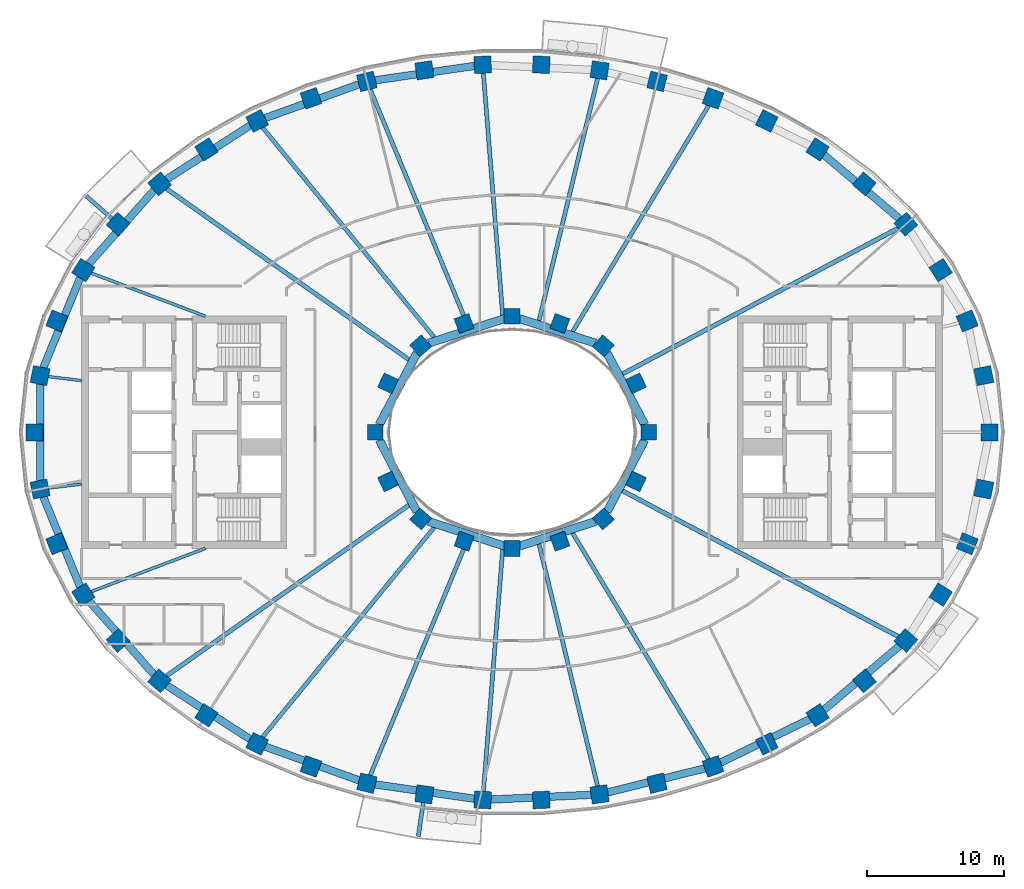
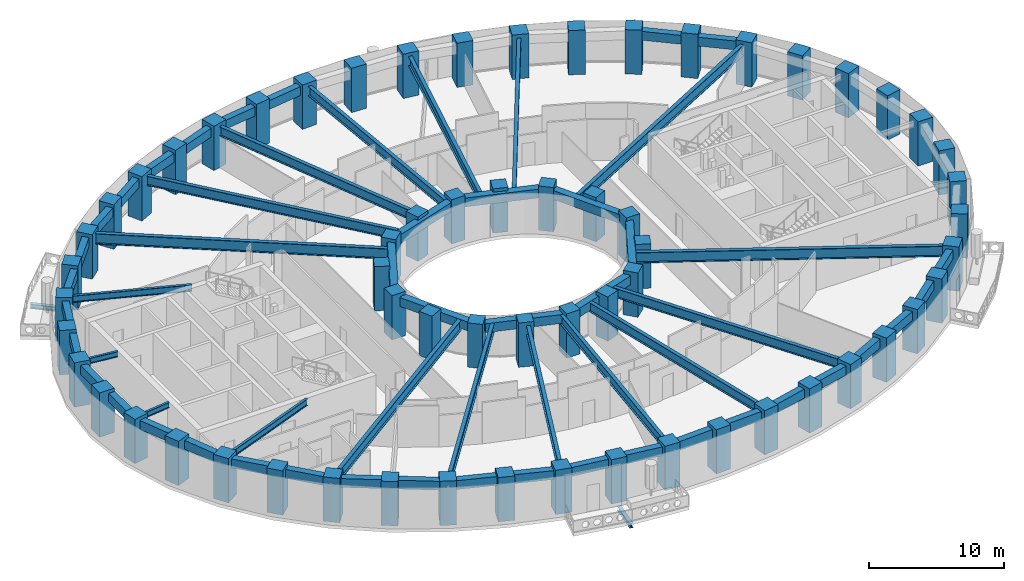
# One storey, part 1 of 16: 62 columns, 44 beams.
"""IFC4 building model written with IfcOpenShell, lengths in metres."""

from ifc_helpers import new_model, si_unit, direction, frame, origin, origin_2d, place, context, subcontext, project, spatial, rectangle, i_section, extrude, material, material_profile, profile_set, type_object, element, save


model = new_model("IFC4")

# Units and contexts
model_context = context("Model", 3, precision=1e-05, world=origin(), true_north=direction((0.0, 1.0)))
body_context = subcontext(model_context, "Body", "Model", "MODEL_VIEW")
ifc_project = project(units=[si_unit("LENGTHUNIT", "METRE"), si_unit("AREAUNIT", "SQUARE_METRE"), si_unit("VOLUMEUNIT", "CUBIC_METRE"), si_unit("PLANEANGLEUNIT", "RADIAN"), si_unit("MASSUNIT", "GRAM", prefix="KILO")], contexts=[model_context])

# Site, building, storey
site_placement = place(None, origin())
site = spatial("IfcSite", under=ifc_project, at=site_placement, CompositionType="ELEMENT")
building_placement = place(site_placement, origin())
building = spatial("IfcBuilding", under=site, at=building_placement, Name="Noorbagh Ring Tower", CompositionType="ELEMENT")
storey_placement = place(building_placement, frame((0.0, 0.0, 136.0)))
storey = spatial("IfcBuildingStorey", under=building, at=storey_placement, Name="L31", CompositionType="ELEMENT", Elevation=136.0)

# Columns
ifc_material_1 = material(Name="Concrete C60/75", Category="concrete")
ifc_material_profile_1 = material_profile(ifc_material_1, rectangle(XDim=1.25, YDim=1.25, at=origin_2d()), Name="RC1250x1250")
ifc_profile_set_1 = profile_set([ifc_material_profile_1], Name="Concrete C60/75")
column_type_1 = type_object("IfcColumnType", Name="STR-COL-RC1250x1250-C60-75", PredefinedType="COLUMN", material=ifc_profile_set_1)
for number, where, z_axis, x_axis, name in (
    (1, (34.944580078125, 0.0, 0.0), (0.0, 0.0, 1.0), (0.0, 1.0, 0.0), "L31/col/R1-01"),
    (2, (34.52685546875, 4.150634765625, 0.0), (0.0, 0.0, 1.0), (-0.19723040178, 0.9803571638, 0.0), "L31/col/R1-02"),
    (3, (33.30517578125, 8.1494140625, 0.0), (0.0, 0.0, 1.0), (-0.378989499959, 0.925400971969, 0.0), "L31/col/R1-03"),
    (4, (31.364990234375, 11.87109375, 0.0), (0.0, 0.0, 1.0), (-0.535190403059, 0.844731455833, 0.0), "L31/col/R1-04"),
    (5, (28.81884765625, 15.23046875, 0.0), (0.0, 0.0, 1.0), (-0.662635642662, 0.748941923699, 0.0), "L31/col/R1-05"),
    (6, (25.78271484375, 18.180419921875, 0.0), (0.0, 0.0, 1.0), (-0.763035199656, 0.646356932419, 0.0), "L31/col/R1-06"),
    (7, (22.362060546875, 20.699951171875, 0.0), (0.0, 0.0, 1.0), (-0.840247639643, 0.542202825586, 0.0), "L31/col/R1-07"),
    (8, (18.646240234375, 22.785400390625, 0.0), (0.0, 0.0, 1.0), (-0.898399080868, 0.439180021741, 0.0), "L31/col/R1-08"),
    (9, (14.70947265625, 24.44091796875, 0.0), (0.0, 0.0, 1.0), (-0.941024726094, 0.338337797003, 0.0), "L31/col/R1-09"),
    (10, (10.61328125, 25.673583984375, 0.0), (0.0, 0.0, 1.0), (-0.970829360981, 0.239771457553, 0.0), "L31/col/R1-10"),
    (11, (6.4091796875, 26.49072265625, 0.0), (0.0, 0.0, 1.0), (-0.989713114048, 0.143066249975, 0.0), "L31/col/R1-11"),
    (12, (2.14306640625, 26.89794921875, 0.0), (0.0, 0.0, 1.0), (-0.998868731212, 0.047552684538, 0.0), "L31/col/R1-12"),
    (13, (-2.14306640625, 26.89794921875, 0.0), (0.0, 0.0, 1.0), (-0.998868731212, -0.047552684538, 0.0), "L31/col/R1-13"),
    (14, (-6.4091796875, 26.49072265625, 0.0), (0.0, 0.0, 1.0), (-0.989713114048, -0.143066249975, 0.0), "L31/col/R1-14"),
    (15, (-10.61328125, 25.673583984375, 0.0), (0.0, 0.0, 1.0), (-0.970829360981, -0.239771457553, 0.0), "L31/col/R1-15"),
    (16, (-14.70947265625, 24.44091796875, 0.0), (0.0, 0.0, 1.0), (-0.941024726094, -0.338337797003, 0.0), "L31/col/R1-16"),
    (17, (-18.646240234375, 22.785400390625, 0.0), (0.0, 0.0, 1.0), (-0.898399080868, -0.439180021741, 0.0), "L31/col/R1-17"),
    (18, (-22.362060546875, 20.699951171875, 0.0), (0.0, 0.0, 1.0), (-0.840247639643, -0.542202825586, 0.0), "L31/col/R1-18"),
    (19, (-25.78271484375, 18.180419921875, 0.0), (0.0, 0.0, 1.0), (-0.763035199656, -0.646356932419, 0.0), "L31/col/R1-19"),
    (20, (-28.81884765625, 15.23046875, 0.0), (0.0, 0.0, 1.0), (-0.662635642662, -0.748941923699, 0.0), "L31/col/R1-20"),
    (21, (-31.364990234375, 11.87109375, 0.0), (0.0, 0.0, 1.0), (-0.535190403059, -0.844731455833, 0.0), "L31/col/R1-21"),
    (22, (-33.30517578125, 8.1494140625, 0.0), (0.0, 0.0, 1.0), (-0.378989499959, -0.925400971969, 0.0), "L31/col/R1-22"),
    (23, (-34.52685546875, 4.150634765625, 0.0), (0.0, 0.0, 1.0), (-0.19723040178, -0.9803571638, 0.0), "L31/col/R1-23"),
    (24, (-34.944580078125, 0.0, 0.0), (0.0, 0.0, 1.0), (0.0, -1.0, 0.0), "L31/col/R1-24"),
    (25, (-34.52685546875, -4.150634765625, 0.0), (0.0, 0.0, 1.0), (0.19723040178, -0.9803571638, 0.0), "L31/col/R1-25"),
    (26, (-33.30517578125, -8.1494140625, 0.0), (0.0, 0.0, 1.0), (0.378989499959, -0.925400971969, 0.0), "L31/col/R1-26"),
    (27, (-31.364990234375, -11.87109375, 0.0), (0.0, 0.0, 1.0), (0.535190403059, -0.844731455833, 0.0), "L31/col/R1-27"),
    (28, (-28.81884765625, -15.23046875, 0.0), (0.0, 0.0, 1.0), (0.662635642662, -0.748941923699, 0.0), "L31/col/R1-28"),
    (29, (-25.78271484375, -18.180419921875, 0.0), (0.0, 0.0, 1.0), (0.763035199656, -0.646356932419, 0.0), "L31/col/R1-29"),
    (30, (-22.362060546875, -20.699951171875, 0.0), (0.0, 0.0, 1.0), (0.840247639643, -0.542202825586, 0.0), "L31/col/R1-30"),
    (31, (-18.646240234375, -22.785400390625, 0.0), (0.0, 0.0, 1.0), (0.898399080868, -0.439180021741, 0.0), "L31/col/R1-31"),
    (32, (-14.70947265625, -24.44091796875, 0.0), (0.0, 0.0, 1.0), (0.941024726094, -0.338337797003, 0.0), "L31/col/R1-32"),
    (33, (-10.61328125, -25.673583984375, 0.0), (0.0, 0.0, 1.0), (0.970829360981, -0.239771457553, 0.0), "L31/col/R1-33"),
    (34, (-6.4091796875, -26.49072265625, 0.0), (0.0, 0.0, 1.0), (0.989713114048, -0.143066249975, 0.0), "L31/col/R1-34"),
    (35, (-2.14306640625, -26.89794921875, 0.0), (0.0, 0.0, 1.0), (0.998868731212, -0.047552684538, 0.0), "L31/col/R1-35"),
    (36, (2.14306640625, -26.89794921875, 0.0), (0.0, 0.0, 1.0), (0.998868731212, 0.047552684538, 0.0), "L31/col/R1-36"),
    (37, (6.4091796875, -26.49072265625, 0.0), (0.0, 0.0, 1.0), (0.989713114048, 0.143066249975, 0.0), "L31/col/R1-37"),
    (38, (10.61328125, -25.673583984375, 0.0), (0.0, 0.0, 1.0), (0.970829360981, 0.239771457553, 0.0), "L31/col/R1-38"),
    (39, (14.70947265625, -24.44091796875, 0.0), (0.0, 0.0, 1.0), (0.941024726094, 0.338337797003, 0.0), "L31/col/R1-39"),
    (40, (18.646240234375, -22.785400390625, 0.0), (0.0, 0.0, 1.0), (0.898399080868, 0.439180021741, 0.0), "L31/col/R1-40"),
    (41, (22.362060546875, -20.699951171875, 0.0), (0.0, 0.0, 1.0), (0.840247639643, 0.542202825586, 0.0), "L31/col/R1-41"),
    (42, (25.78271484375, -18.180419921875, 0.0), (0.0, 0.0, 1.0), (0.763035199656, 0.646356932419, 0.0), "L31/col/R1-42"),
    (43, (28.81884765625, -15.23046875, 0.0), (0.0, 0.0, 1.0), (0.662635642662, 0.748941923699, 0.0), "L31/col/R1-43"),
    (44, (31.364990234375, -11.87109375, 0.0), (0.0, 0.0, 1.0), (0.535190403059, 0.844731455833, 0.0), "L31/col/R1-44"),
    (45, (33.30517578125, -8.1494140625, 0.0), (0.0, 0.0, 1.0), (0.378989499959, 0.925400971969, 0.0), "L31/col/R1-45"),
    (46, (34.52685546875, -4.150634765625, 0.0), (0.0, 0.0, 1.0), (0.19723040178, 0.9803571638, 0.0), "L31/col/R1-46"),
):
    element("IfcColumn", number, at=place(storey_placement, frame(where, z_axis=z_axis, x_axis=x_axis)), inside=storey, type_object=column_type_1, Name=name, PredefinedType="COLUMN", context=body_context, shape_type="SweptSolid", body=[
        extrude(rectangle(XDim=1.25, YDim=1.25, at=origin_2d()), origin(), (0.0, 0.0, 1.0), 4.0),
    ])
ifc_material_2 = material(Name="Concrete C60/75", Category="concrete")
ifc_material_profile_2 = material_profile(ifc_material_2, rectangle(XDim=1.14990234375, YDim=1.14990234375, at=origin_2d()), Name="RC1150x1150")
ifc_profile_set_2 = profile_set([ifc_material_profile_2], Name="Concrete C60/75")
column_type_2 = type_object("IfcColumnType", Name="STR-ICOL-RC1150x1150-C60-75", PredefinedType="COLUMN", material=ifc_profile_set_2)
for number, where, z_axis, x_axis, name in (
    (47, (10.00830078125, 0.0, 0.0), (0.0, 0.0, 1.0), (0.0, 1.0, 0.0), "L31/col/IR2-W01"),
    (48, (9.07568359375, 3.58837890625, 0.0), (0.0, 0.0, 1.0), (-0.428666979171, 0.903462573087, 0.0), "L31/col/IR2-W03"),
    (49, (6.68212890625, 6.333740234375, 0.0), (0.0, 0.0, 1.0), (-0.75102249095, 0.660276622399, 0.0), "L31/col/IR2-W05"),
    (50, (3.5009765625, 7.967041015625, 0.0), (0.0, 0.0, 1.0), (-0.939019578916, 0.343863679984, 0.0), "L31/col/IR2-W07"),
    (51, (0.0, 8.5029296875, 0.0), (0.0, 0.0, 1.0), (-1.0, 0.0, 0.0), "L31/col/IR2-W09"),
    (52, (-3.5009765625, 7.967041015625, 0.0), (0.0, 0.0, 1.0), (-0.939019578916, -0.343863679984, 0.0), "L31/col/IR2-W11"),
    (53, (-6.68212890625, 6.333740234375, 0.0), (0.0, 0.0, 1.0), (-0.75102249095, -0.660276622399, 0.0), "L31/col/IR2-W13"),
    (54, (-9.07568359375, 3.58837890625, 0.0), (0.0, 0.0, 1.0), (-0.428666979171, -0.903462573087, 0.0), "L31/col/IR2-W15"),
    (55, (-10.00830078125, 0.0, 0.0), (0.0, 0.0, 1.0), (0.0, -1.0, 0.0), "L31/col/IR2-W17"),
    (56, (-9.07568359375, -3.58837890625, 0.0), (0.0, 0.0, 1.0), (0.428666979171, -0.903462573087, 0.0), "L31/col/IR2-W19"),
    (57, (-6.68212890625, -6.333740234375, 0.0), (0.0, 0.0, 1.0), (0.75102249095, -0.660276622399, 0.0), "L31/col/IR2-W21"),
    (58, (-3.5009765625, -7.967041015625, 0.0), (0.0, 0.0, 1.0), (0.939019578916, -0.343863679984, 0.0), "L31/col/IR2-W23"),
    (59, (0.0, -8.5029296875, 0.0), (0.0, 0.0, 1.0), (1.0, 0.0, 0.0), "L31/col/IR2-W25"),
    (60, (3.5009765625, -7.967041015625, 0.0), (0.0, 0.0, 1.0), (0.939019578916, 0.343863679984, 0.0), "L31/col/IR2-W27"),
    (61, (6.68212890625, -6.333740234375, 0.0), (0.0, 0.0, 1.0), (0.75102249095, 0.660276622399, 0.0), "L31/col/IR2-W29"),
    (62, (9.07568359375, -3.58837890625, 0.0), (0.0, 0.0, 1.0), (0.428666979171, 0.903462573087, 0.0), "L31/col/IR2-W31"),
):
    element("IfcColumn", number, at=place(storey_placement, frame(where, z_axis=z_axis, x_axis=x_axis)), inside=storey, type_object=column_type_2, Name=name, PredefinedType="COLUMN", context=body_context, shape_type="SweptSolid", body=[
        extrude(rectangle(XDim=1.14990234375, YDim=1.14990234375, at=origin_2d()), origin(), (0.0, 0.0, 1.0), 4.0),
    ])

# Beams
ifc_material_3 = material(Name="Steel S355", Category="steel")
ifc_material_profile_3 = material_profile(ifc_material_3, i_section(OverallWidth=0.300048828125, OverallDepth=0.39990234375, WebThickness=0.013427734375, FlangeThickness=0.02392578125, FilletRadius=0.027099609375, at=origin_2d()), Name="HEB400")
ifc_profile_set_3 = profile_set([ifc_material_profile_3], Name="Steel S355")
beam_type_1 = type_object("IfcBeamType", Name="STR-BALCONY-BRACKET-HEB400", PredefinedType="BEAM", material=ifc_profile_set_3)
beam_1_placement = place(storey_placement, frame((-29.27197265625, 15.63134765625, -0.5), z_axis=(-0.749063543205, 0.662498157161, 0.0), x_axis=(-0.662498157161, -0.749063543205, 0.0)))
element("IfcBeam", 63, at=beam_1_placement, inside=storey, type_object=beam_type_1, Name="Balcony bracket beam BN06", PredefinedType="BEAM", context=body_context, shape_type="SweptSolid", body=[
    extrude(i_section(OverallWidth=0.300048828125, OverallDepth=0.39990234375, WebThickness=0.013427734375, FlangeThickness=0.02392578125, FilletRadius=0.027099609375, at=origin_2d()), origin(), (0.0, 0.0, 1.0), 2.50439453125),
])
beam_2_placement = place(storey_placement, frame((-6.495849609375, -27.089599609375, -0.5), z_axis=(-0.143035199344, -0.98971760202, 0.0), x_axis=(0.98971760202, -0.143035199344, 0.0)))
element("IfcBeam", 64, at=beam_2_placement, inside=storey, type_object=beam_type_1, Name="Balcony bracket beam BS03", PredefinedType="BEAM", context=body_context, shape_type="SweptSolid", body=[
    extrude(i_section(OverallWidth=0.300048828125, OverallDepth=0.39990234375, WebThickness=0.013427734375, FlangeThickness=0.02392578125, FilletRadius=0.027099609375, at=origin_2d()), origin(), (0.0, 0.0, 1.0), 2.498779296875),
])
ifc_material_4 = material(Name="Steel S355", Category="steel")
ifc_material_profile_4 = material_profile(ifc_material_4, i_section(OverallWidth=0.199951171875, OverallDepth=0.5, WebThickness=0.01025390625, FlangeThickness=0.01611328125, FilletRadius=0.02099609375, at=origin_2d()), Name="IPE500")
ifc_profile_set_4 = profile_set([ifc_material_profile_4], Name="Steel S355")
beam_type_2 = type_object("IfcBeamType", Name="STR-RAD-IPE500", PredefinedType="BEAM", material=ifc_profile_set_4)
for number, where, z_axis, x_axis, name in (
    (65, (-33.924072265625, 4.078125, 3.449951171875), (0.992855702759, -0.119321219822, 0.0), (0.119321219822, 0.992855702759, 0.0), "L31/bm/RD23"),
    (66, (-33.924072265625, -4.078125, 3.449951171875), (0.992855702759, 0.119321219822, 0.0), (-0.119321219822, 0.992855702759, 0.0), "L31/bm/RD25"),
):
    element("IfcBeam", number, at=place(storey_placement, frame(where, z_axis=z_axis, x_axis=x_axis)), inside=storey, type_object=beam_type_2, Name=name, PredefinedType="BEAM", context=body_context, shape_type="SweptSolid", body=[
        extrude(i_section(OverallWidth=0.199951171875, OverallDepth=0.5, WebThickness=0.01025390625, FlangeThickness=0.01611328125, FilletRadius=0.02099609375, at=origin_2d()), origin(), (0.0, 0.0, 1.0), 2.46142578125),
    ])
ifc_material_5 = material(Name="Steel S355", Category="steel")
ifc_material_profile_5 = material_profile(ifc_material_5, i_section(OverallWidth=0.219970703125, OverallDepth=0.60009765625, WebThickness=0.011962890625, FlangeThickness=0.01904296875, FilletRadius=0.02392578125, at=origin_2d()), Name="IPE600")
ifc_profile_set_5 = profile_set([ifc_material_profile_5], Name="Steel S355")
beam_type_3 = type_object("IfcBeamType", Name="STR-RAD-IPE600", PredefinedType="BEAM", material=ifc_profile_set_5)
for number, where, z_axis, x_axis, name in (
    (67, (-30.786865234375, 11.652099609375, 3.39990234375), (0.935256889456, -0.353969703117, 0.0), (0.353969703117, 0.935256889456, 0.0), "L31/bm/RD21"),
    (68, (-30.786865234375, -11.652099609375, 3.39990234375), (0.935256889456, 0.353969703117, 0.0), (-0.353969703117, 0.935256889456, 0.0), "L31/bm/RD27"),
):
    element("IfcBeam", number, at=place(storey_placement, frame(where, z_axis=z_axis, x_axis=x_axis)), inside=storey, type_object=beam_type_3, Name=name, PredefinedType="BEAM", context=body_context, shape_type="SweptSolid", body=[
        extrude(i_section(OverallWidth=0.219970703125, OverallDepth=0.60009765625, WebThickness=0.011962890625, FlangeThickness=0.01904296875, FilletRadius=0.02392578125, at=origin_2d()), origin(), (0.0, 0.0, 1.0), 8.925048828125),
    ])
ifc_material_6 = material(Name="Steel S355", Category="steel")
ifc_material_profile_6 = material_profile(ifc_material_6, i_section(OverallWidth=0.300048828125, OverallDepth=0.85009765625, WebThickness=0.013916015625, FlangeThickness=0.028076171875, at=origin_2d()), Name="PG850x300x14x28")
ifc_profile_set_6 = profile_set([ifc_material_profile_6], Name="Steel S355")
beam_type_4 = type_object("IfcBeamType", Name="STR-RAD-PG850x300x14x28", PredefinedType="BEAM", material=ifc_profile_set_6)
beam_3_placement = place(storey_placement, frame((14.39111328125, 23.912109375, 3.27490234375), z_axis=(-0.515649393851, -0.856799686403, 0.0), x_axis=(0.856799686403, -0.515649393851, 0.0)))
element("IfcBeam", 69, at=beam_3_placement, inside=storey, type_object=beam_type_4, Name="L31/bm/RD09", PredefinedType="BEAM", context=body_context, shape_type="SweptSolid", body=[
    extrude(i_section(OverallWidth=0.300048828125, OverallDepth=0.85009765625, WebThickness=0.013916015625, FlangeThickness=0.028076171875, at=origin_2d()), origin(), (0.0, 0.0, 1.0), 19.318603515625),
])
beam_4_placement = place(storey_placement, frame((6.266357421875, 25.900146484375, 3.27490234375), z_axis=(-0.235162116431, -0.971956161046, 0.0), x_axis=(0.971956161046, -0.235162116431, 0.0)))
element("IfcBeam", 70, at=beam_4_placement, inside=storey, type_object=beam_type_4, Name="L31/bm/RD11", PredefinedType="BEAM", context=body_context, shape_type="SweptSolid", body=[
    extrude(i_section(OverallWidth=0.300048828125, OverallDepth=0.85009765625, WebThickness=0.013916015625, FlangeThickness=0.028076171875, at=origin_2d()), origin(), (0.0, 0.0, 1.0), 18.25537109375),
])
beam_5_placement = place(storey_placement, frame((-2.09521484375, 26.294677734375, 3.27490234375), z_axis=(0.079430227558, -0.996840428027, 0.0), x_axis=(0.996840428027, 0.079430227558, 0.0)))
element("IfcBeam", 71, at=beam_5_placement, inside=storey, type_object=beam_type_4, Name="L31/bm/RD13", PredefinedType="BEAM", context=body_context, shape_type="SweptSolid", body=[
    extrude(i_section(OverallWidth=0.300048828125, OverallDepth=0.85009765625, WebThickness=0.013916015625, FlangeThickness=0.028076171875, at=origin_2d()), origin(), (0.0, 0.0, 1.0), 17.77490234375),
])
beam_6_placement = place(storey_placement, frame((-10.37939453125, 25.10791015625, 3.27490234375), z_axis=(0.382033251653, -0.924148578223, 0.0), x_axis=(0.924148578223, 0.382033251653, 0.0)))
element("IfcBeam", 72, at=beam_6_placement, inside=storey, type_object=beam_type_4, Name="L31/bm/RD15", PredefinedType="BEAM", context=body_context, shape_type="SweptSolid", body=[
    extrude(i_section(OverallWidth=0.300048828125, OverallDepth=0.85009765625, WebThickness=0.013916015625, FlangeThickness=0.028076171875, at=origin_2d()), origin(), (0.0, 0.0, 1.0), 18.775390625),
])
for number, where, z_axis, x_axis, name in (
    (73, (-18.252197265625, 22.303955078125, 3.27490234375), (0.633304807385, -0.773902462163, 0.0), (0.773902462163, 0.633304807385, 0.0), "L31/bm/RD17"),
    (74, (-18.252197265625, -22.303955078125, 3.27490234375), (0.633304807385, 0.773902462163, 0.0), (-0.773902462163, 0.633304807385, 0.0), "L31/bm/RD31"),
):
    element("IfcBeam", number, at=place(storey_placement, frame(where, z_axis=z_axis, x_axis=x_axis)), inside=storey, type_object=beam_type_4, Name=name, PredefinedType="BEAM", context=body_context, shape_type="SweptSolid", body=[
        extrude(i_section(OverallWidth=0.300048828125, OverallDepth=0.85009765625, WebThickness=0.013916015625, FlangeThickness=0.028076171875, at=origin_2d()), origin(), (0.0, 0.0, 1.0), 19.837158203125),
    ])
beam_7_placement = place(storey_placement, frame((-10.37939453125, -25.10791015625, 3.27490234375), z_axis=(0.382033251653, 0.924148578223, 0.0), x_axis=(-0.924148578223, 0.382033251653, 0.0)))
element("IfcBeam", 75, at=beam_7_placement, inside=storey, type_object=beam_type_4, Name="L31/bm/RD33", PredefinedType="BEAM", context=body_context, shape_type="SweptSolid", body=[
    extrude(i_section(OverallWidth=0.300048828125, OverallDepth=0.85009765625, WebThickness=0.013916015625, FlangeThickness=0.028076171875, at=origin_2d()), origin(), (0.0, 0.0, 1.0), 18.775390625),
])
beam_8_placement = place(storey_placement, frame((-2.09521484375, -26.294677734375, 3.27490234375), z_axis=(0.079430227558, 0.996840428027, 0.0), x_axis=(-0.996840428027, 0.079430227558, 0.0)))
element("IfcBeam", 76, at=beam_8_placement, inside=storey, type_object=beam_type_4, Name="L31/bm/RD35", PredefinedType="BEAM", context=body_context, shape_type="SweptSolid", body=[
    extrude(i_section(OverallWidth=0.300048828125, OverallDepth=0.85009765625, WebThickness=0.013916015625, FlangeThickness=0.028076171875, at=origin_2d()), origin(), (0.0, 0.0, 1.0), 17.77490234375),
])
beam_9_placement = place(storey_placement, frame((6.266357421875, -25.900146484375, 3.27490234375), z_axis=(-0.235162116431, 0.971956161046, 0.0), x_axis=(-0.971956161046, -0.235162116431, 0.0)))
element("IfcBeam", 77, at=beam_9_placement, inside=storey, type_object=beam_type_4, Name="L31/bm/RD37", PredefinedType="BEAM", context=body_context, shape_type="SweptSolid", body=[
    extrude(i_section(OverallWidth=0.300048828125, OverallDepth=0.85009765625, WebThickness=0.013916015625, FlangeThickness=0.028076171875, at=origin_2d()), origin(), (0.0, 0.0, 1.0), 18.25537109375),
])
beam_10_placement = place(storey_placement, frame((14.39111328125, -23.912109375, 3.27490234375), z_axis=(-0.515649393851, 0.856799686403, 0.0), x_axis=(-0.856799686403, -0.515649393851, 0.0)))
element("IfcBeam", 78, at=beam_10_placement, inside=storey, type_object=beam_type_4, Name="L31/bm/RD39", PredefinedType="BEAM", context=body_context, shape_type="SweptSolid", body=[
    extrude(i_section(OverallWidth=0.300048828125, OverallDepth=0.85009765625, WebThickness=0.013916015625, FlangeThickness=0.028076171875, at=origin_2d()), origin(), (0.0, 0.0, 1.0), 19.318603515625),
])
ifc_material_7 = material(Name="Steel S355", Category="steel")
ifc_material_profile_7 = material_profile(ifc_material_7, i_section(OverallWidth=0.320068359375, OverallDepth=0.949951171875, WebThickness=0.01611328125, FlangeThickness=0.030029296875, at=origin_2d()), Name="PG950x320x16x30")
ifc_profile_set_7 = profile_set([ifc_material_profile_7], Name="Steel S355")
beam_type_5 = type_object("IfcBeamType", Name="STR-RAD-PG950x320x16x30", PredefinedType="BEAM", material=ifc_profile_set_7)
beam_11_placement = place(storey_placement, frame((28.267822265625, 14.939453125, 3.22509765625), z_axis=(-0.884118542568, -0.467262669906, 0.0), x_axis=(0.467262669906, -0.884118542568, 0.0)))
element("IfcBeam", 79, at=beam_11_placement, inside=storey, type_object=beam_type_5, Name="L31/bm/RD05", PredefinedType="BEAM", context=body_context, shape_type="SweptSolid", body=[
    extrude(i_section(OverallWidth=0.320068359375, OverallDepth=0.949951171875, WebThickness=0.01611328125, FlangeThickness=0.030029296875, at=origin_2d()), origin(), (0.0, 0.0, 1.0), 22.831787109375),
])
for number, where, z_axis, x_axis, name in (
    (80, (-25.271484375, 17.81982421875, 3.22509765625), (0.817255824505, -0.57627503617, 0.0), (0.57627503617, 0.817255824505, 0.0), "L31/bm/RD19"),
    (81, (-25.271484375, -17.81982421875, 3.22509765625), (0.817255824505, 0.57627503617, 0.0), (-0.57627503617, 0.817255824505, 0.0), "L31/bm/RD29"),
):
    element("IfcBeam", number, at=place(storey_placement, frame(where, z_axis=z_axis, x_axis=x_axis)), inside=storey, type_object=beam_type_5, Name=name, PredefinedType="BEAM", context=body_context, shape_type="SweptSolid", body=[
        extrude(i_section(OverallWidth=0.320068359375, OverallDepth=0.949951171875, WebThickness=0.01611328125, FlangeThickness=0.030029296875, at=origin_2d()), origin(), (0.0, 0.0, 1.0), 21.702880859375),
    ])
beam_12_placement = place(storey_placement, frame((28.267822265625, -14.939453125, 3.22509765625), z_axis=(-0.884118542568, 0.467262669906, 0.0), x_axis=(-0.467262669906, -0.884118542568, 0.0)))
element("IfcBeam", 82, at=beam_12_placement, inside=storey, type_object=beam_type_5, Name="L31/bm/RD43", PredefinedType="BEAM", context=body_context, shape_type="SweptSolid", body=[
    extrude(i_section(OverallWidth=0.320068359375, OverallDepth=0.949951171875, WebThickness=0.01611328125, FlangeThickness=0.030029296875, at=origin_2d()), origin(), (0.0, 0.0, 1.0), 22.831787109375),
])
ifc_material_8 = material(Name="Concrete C40/50", Category="concrete")
ifc_material_profile_8 = material_profile(ifc_material_8, rectangle(XDim=0.60009765625, YDim=0.800048828125, at=origin_2d()), Name="RC600x800")
ifc_profile_set_8 = profile_set([ifc_material_profile_8], Name="Concrete C40/50")
beam_type_6 = type_object("IfcBeamType", Name="STR-RB-RC600x800-C40-50", PredefinedType="BEAM", material=ifc_profile_set_8)
beam_13_placement = place(storey_placement, frame((9.7158203125, 0.557373046875, 3.300048828125), z_axis=(-0.464946878947, 0.885338579165, 0.0), x_axis=(-0.885338579165, -0.464946878947, 0.0)))
element("IfcBeam", 83, at=beam_13_placement, inside=storey, type_object=beam_type_6, Name="L31/bm/RG01", PredefinedType="BEAM", context=body_context, shape_type="SweptSolid", body=[
    extrude(rectangle(XDim=0.60009765625, YDim=0.800048828125, at=origin_2d()), origin(), (0.0, 0.0, 1.0), 5.9287109375),
])
for number, where, z_axis, x_axis, name in (
    (84, (6.10546875, 6.52099609375, 3.300048828125), (-0.951151772647, 0.308723671576, 0.0), (-0.308723671576, -0.951151772647, 0.0), "L31/bm/RG03"),
    (85, (-0.555908203125, 8.322265625, 3.300048828125), (-0.951151772647, -0.308723671576, 0.0), (0.308723671576, -0.951151772647, 0.0), "L31/bm/RG05"),
):
    element("IfcBeam", number, at=place(storey_placement, frame(where, z_axis=z_axis, x_axis=x_axis)), inside=storey, type_object=beam_type_6, Name=name, PredefinedType="BEAM", context=body_context, shape_type="SweptSolid", body=[
        extrude(rectangle(XDim=0.60009765625, YDim=0.800048828125, at=origin_2d()), origin(), (0.0, 0.0, 1.0), 5.83447265625),
    ])
for number, where, z_axis, x_axis, name in (
    (86, (-6.959228515625, 5.806396484375, 3.300048828125), (-0.464946878947, -0.885338579165, 0.0), (0.885338579165, -0.464946878947, 0.0), "L31/bm/RG07"),
    (87, (-9.7158203125, -0.557373046875, 3.300048828125), (0.464946878947, -0.885338579165, 0.0), (0.885338579165, 0.464946878947, 0.0), "L31/bm/RG09"),
):
    element("IfcBeam", number, at=place(storey_placement, frame(where, z_axis=z_axis, x_axis=x_axis)), inside=storey, type_object=beam_type_6, Name=name, PredefinedType="BEAM", context=body_context, shape_type="SweptSolid", body=[
        extrude(rectangle(XDim=0.60009765625, YDim=0.800048828125, at=origin_2d()), origin(), (0.0, 0.0, 1.0), 5.9287109375),
    ])
for number, where, z_axis, x_axis, name in (
    (88, (-6.10546875, -6.52099609375, 3.300048828125), (0.951151772647, -0.308723671576, 0.0), (0.308723671576, 0.951151772647, 0.0), "L31/bm/RG11"),
    (89, (0.555908203125, -8.322265625, 3.300048828125), (0.951151772647, 0.308723671576, 0.0), (-0.308723671576, 0.951151772647, 0.0), "L31/bm/RG13"),
):
    element("IfcBeam", number, at=place(storey_placement, frame(where, z_axis=z_axis, x_axis=x_axis)), inside=storey, type_object=beam_type_6, Name=name, PredefinedType="BEAM", context=body_context, shape_type="SweptSolid", body=[
        extrude(rectangle(XDim=0.60009765625, YDim=0.800048828125, at=origin_2d()), origin(), (0.0, 0.0, 1.0), 5.83447265625),
    ])
beam_14_placement = place(storey_placement, frame((6.959228515625, -5.806396484375, 3.300048828125), z_axis=(0.464946878947, 0.885338579165, 0.0), x_axis=(-0.885338579165, 0.464946878947, 0.0)))
element("IfcBeam", 90, at=beam_14_placement, inside=storey, type_object=beam_type_6, Name="L31/bm/RG15", PredefinedType="BEAM", context=body_context, shape_type="SweptSolid", body=[
    extrude(rectangle(XDim=0.60009765625, YDim=0.800048828125, at=origin_2d()), origin(), (0.0, 0.0, 1.0), 5.9287109375),
])
ifc_material_9 = material(Name="Concrete C40/50", Category="concrete")
ifc_material_profile_9 = material_profile(ifc_material_9, rectangle(XDim=0.550048828125, YDim=0.800048828125, at=origin_2d()), Name="RC550x800")
ifc_profile_set_9 = profile_set([ifc_material_profile_9], Name="Concrete C40/50")
beam_type_7 = type_object("IfcBeamType", Name="STR-SB-RC550x800-C40-50", PredefinedType="BEAM", material=ifc_profile_set_9)
beam_15_placement = place(storey_placement, frame((28.352294921875, 15.625732421875, 3.300048828125), z_axis=(-0.76304723731, 0.646342721498, 0.0), x_axis=(-0.646342721498, -0.76304723731, 0.0)))
element("IfcBeam", 91, at=beam_15_placement, inside=storey, type_object=beam_type_7, Name="L31/bm/SP05", PredefinedType="BEAM", context=body_context, shape_type="SweptSolid", body=[
    extrude(rectangle(XDim=0.550048828125, YDim=0.800048828125, at=origin_2d()), origin(), (0.0, 0.0, 1.0), 7.240234375),
])
beam_16_placement = place(storey_placement, frame((-2.744873046875, 26.81103515625, 3.300048828125), z_axis=(-0.989710679794, -0.143083088804, 0.0), x_axis=(0.143083088804, -0.989710679794, 0.0)))
element("IfcBeam", 92, at=beam_16_placement, inside=storey, type_object=beam_type_7, Name="L31/bm/SP13", PredefinedType="BEAM", context=body_context, shape_type="SweptSolid", body=[
    extrude(rectangle(XDim=0.550048828125, YDim=0.800048828125, at=origin_2d()), origin(), (0.0, 0.0, 1.0), 7.342041015625),
])
beam_17_placement = place(storey_placement, frame((-11.185546875, 25.4677734375, 3.300048828125), z_axis=(-0.941032743566, -0.33831549704, 0.0), x_axis=(0.33831549704, -0.941032743566, 0.0)))
element("IfcBeam", 93, at=beam_17_placement, inside=storey, type_object=beam_type_7, Name="L31/bm/SP15", PredefinedType="BEAM", context=body_context, shape_type="SweptSolid", body=[
    extrude(rectangle(XDim=0.550048828125, YDim=0.800048828125, at=origin_2d()), origin(), (0.0, 0.0, 1.0), 7.319580078125),
])
beam_18_placement = place(storey_placement, frame((-19.158447265625, 22.455078125, 3.300048828125), z_axis=(-0.840240413794, -0.542214023267, 0.0), x_axis=(0.542214023267, -0.840240413794, 0.0)))
element("IfcBeam", 94, at=beam_18_placement, inside=storey, type_object=beam_type_7, Name="L31/bm/SP17", PredefinedType="BEAM", context=body_context, shape_type="SweptSolid", body=[
    extrude(rectangle(XDim=0.550048828125, YDim=0.800048828125, at=origin_2d()), origin(), (0.0, 0.0, 1.0), 7.273681640625),
])
beam_19_placement = place(storey_placement, frame((-26.18798828125, 17.722412109375, 3.300048828125), z_axis=(-0.662621438295, -0.748954490948, 0.0), x_axis=(0.748954490948, -0.662621438295, 0.0)))
element("IfcBeam", 95, at=beam_19_placement, inside=storey, type_object=beam_type_7, Name="L31/bm/SP19", PredefinedType="BEAM", context=body_context, shape_type="SweptSolid", body=[
    extrude(rectangle(XDim=0.550048828125, YDim=0.800048828125, at=origin_2d()), origin(), (0.0, 0.0, 1.0), 7.19970703125),
])
beam_20_placement = place(storey_placement, frame((-31.597900390625, 11.302001953125, 3.300048828125), z_axis=(-0.379013796153, -0.925391021313, 0.0), x_axis=(0.925391021313, -0.379013796153, 0.0)))
element("IfcBeam", 96, at=beam_20_placement, inside=storey, type_object=beam_type_7, Name="L31/bm/SP21", PredefinedType="BEAM", context=body_context, shape_type="SweptSolid", body=[
    extrude(rectangle(XDim=0.550048828125, YDim=0.800048828125, at=origin_2d()), origin(), (0.0, 0.0, 1.0), 7.111328125),
])
beam_21_placement = place(storey_placement, frame((-34.52685546875, 3.533203125, 3.300048828125), z_axis=(0.0, -1.0, 0.0), x_axis=(1.0, 0.0, 0.0)))
element("IfcBeam", 97, at=beam_21_placement, inside=storey, type_object=beam_type_7, Name="L31/bm/SP23", PredefinedType="BEAM", context=body_context, shape_type="SweptSolid", body=[
    extrude(rectangle(XDim=0.550048828125, YDim=0.800048828125, at=origin_2d()), origin(), (0.0, 0.0, 1.0), 7.06640625),
])
beam_22_placement = place(storey_placement, frame((-34.293212890625, -4.72119140625, 3.300048828125), z_axis=(0.379013796153, -0.925391021313, 0.0), x_axis=(0.925391021313, 0.379013796153, 0.0)))
element("IfcBeam", 98, at=beam_22_placement, inside=storey, type_object=beam_type_7, Name="L31/bm/SP25", PredefinedType="BEAM", context=body_context, shape_type="SweptSolid", body=[
    extrude(rectangle(XDim=0.550048828125, YDim=0.800048828125, at=origin_2d()), origin(), (0.0, 0.0, 1.0), 7.111328125),
])
beam_23_placement = place(storey_placement, frame((-30.958740234375, -12.330078125, 3.300048828125), z_axis=(0.662621438295, -0.748954490948, 0.0), x_axis=(0.748954490948, 0.662621438295, 0.0)))
element("IfcBeam", 99, at=beam_23_placement, inside=storey, type_object=beam_type_7, Name="L31/bm/SP27", PredefinedType="BEAM", context=body_context, shape_type="SweptSolid", body=[
    extrude(rectangle(XDim=0.550048828125, YDim=0.800048828125, at=origin_2d()), origin(), (0.0, 0.0, 1.0), 7.19970703125),
])
beam_24_placement = place(storey_placement, frame((-25.27001953125, -18.51123046875, 3.300048828125), z_axis=(0.840240413794, -0.542214023267, 0.0), x_axis=(0.542214023267, 0.840240413794, 0.0)))
element("IfcBeam", 100, at=beam_24_placement, inside=storey, type_object=beam_type_7, Name="L31/bm/SP29", PredefinedType="BEAM", context=body_context, shape_type="SweptSolid", body=[
    extrude(rectangle(XDim=0.550048828125, YDim=0.800048828125, at=origin_2d()), origin(), (0.0, 0.0, 1.0), 7.273681640625),
])
beam_25_placement = place(storey_placement, frame((-18.073486328125, -22.991455078125, 3.300048828125), z_axis=(0.941032743566, -0.33831549704, 0.0), x_axis=(0.33831549704, 0.941032743566, 0.0)))
element("IfcBeam", 101, at=beam_25_placement, inside=storey, type_object=beam_type_7, Name="L31/bm/SP31", PredefinedType="BEAM", context=body_context, shape_type="SweptSolid", body=[
    extrude(rectangle(XDim=0.550048828125, YDim=0.800048828125, at=origin_2d()), origin(), (0.0, 0.0, 1.0), 7.319580078125),
])
beam_26_placement = place(storey_placement, frame((-10.011474609375, -25.760498046875, 3.300048828125), z_axis=(0.989710679794, -0.143083088804, 0.0), x_axis=(0.143083088804, 0.989710679794, 0.0)))
element("IfcBeam", 102, at=beam_26_placement, inside=storey, type_object=beam_type_7, Name="L31/bm/SP33", PredefinedType="BEAM", context=body_context, shape_type="SweptSolid", body=[
    extrude(rectangle(XDim=0.550048828125, YDim=0.800048828125, at=origin_2d()), origin(), (0.0, 0.0, 1.0), 7.342041015625),
])
beam_27_placement = place(storey_placement, frame((-1.5361328125, -26.869140625, 3.300048828125), z_axis=(0.998868588799, 0.047555675902, 0.0), x_axis=(-0.047555675902, 0.998868588799, 0.0)))
element("IfcBeam", 103, at=beam_27_placement, inside=storey, type_object=beam_type_7, Name="L31/bm/SP35", PredefinedType="BEAM", context=body_context, shape_type="SweptSolid", body=[
    extrude(rectangle(XDim=0.550048828125, YDim=0.800048828125, at=origin_2d()), origin(), (0.0, 0.0, 1.0), 7.346435546875),
])
beam_28_placement = place(storey_placement, frame((6.99951171875, -26.344970703125, 3.300048828125), z_axis=(0.970829859213, 0.239769440213, 0.0), x_axis=(-0.239769440213, 0.970829859213, 0.0)))
element("IfcBeam", 104, at=beam_28_placement, inside=storey, type_object=beam_type_7, Name="L31/bm/SP37", PredefinedType="BEAM", context=body_context, shape_type="SweptSolid", body=[
    extrude(rectangle(XDim=0.550048828125, YDim=0.800048828125, at=origin_2d()), origin(), (0.0, 0.0, 1.0), 7.333251953125),
])
beam_29_placement = place(storey_placement, frame((15.25634765625, -24.173583984375, 3.300048828125), z_axis=(0.898391398986, 0.439195735667, 0.0), x_axis=(-0.439195735667, 0.898391398986, 0.0)))
element("IfcBeam", 105, at=beam_29_placement, inside=storey, type_object=beam_type_7, Name="L31/bm/SP39", PredefinedType="BEAM", context=body_context, shape_type="SweptSolid", body=[
    extrude(rectangle(XDim=0.550048828125, YDim=0.800048828125, at=origin_2d()), origin(), (0.0, 0.0, 1.0), 7.2998046875),
])
beam_30_placement = place(storey_placement, frame((22.82763671875, -20.305419921875, 3.300048828125), z_axis=(0.76304723731, 0.646342721498, 0.0), x_axis=(-0.646342721498, 0.76304723731, 0.0)))
element("IfcBeam", 106, at=beam_30_placement, inside=storey, type_object=beam_type_7, Name="L31/bm/SP41", PredefinedType="BEAM", context=body_context, shape_type="SweptSolid", body=[
    extrude(rectangle(XDim=0.550048828125, YDim=0.800048828125, at=origin_2d()), origin(), (0.0, 0.0, 1.0), 7.240234375),
])

save(model, "model.ifc")
